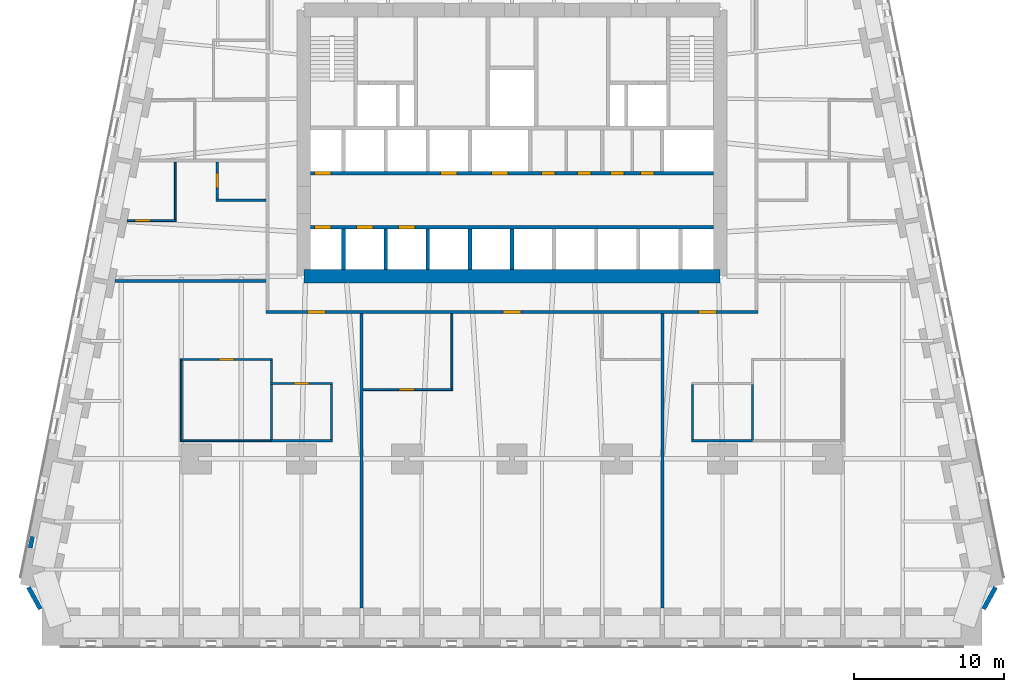
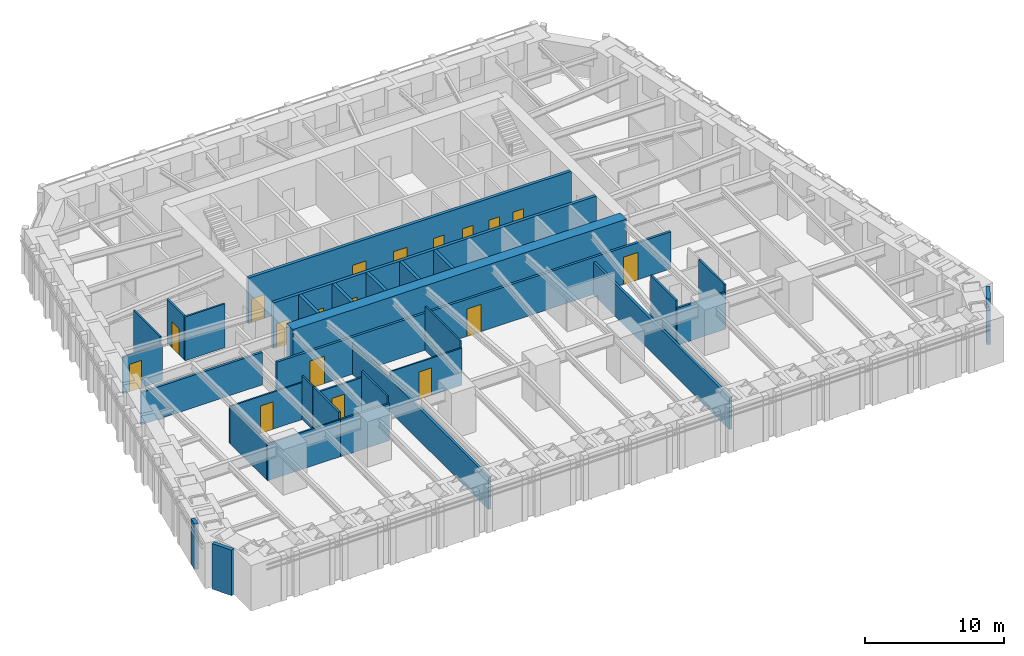
# One storey, part 12 of 16: 32 walls, 18 doors, 18 openings.
"""IFC4 building model written with IfcOpenShell, lengths in metres."""

from ifc_helpers import new_model, si_unit, direction, frame, frame_2d, origin, place, context, subcontext, project, spatial, rectangle, extrude, material, layer, layer_set, type_object, element, fill, save


model = new_model("IFC4")

# Units and contexts
model_context = context("Model", 3, precision=1e-05, world=origin(), true_north=direction((0.0, 1.0)))
body_context = subcontext(model_context, "Body", "Model", "MODEL_VIEW")
ifc_project = project(units=[si_unit("LENGTHUNIT", "METRE"), si_unit("AREAUNIT", "SQUARE_METRE"), si_unit("VOLUMEUNIT", "CUBIC_METRE"), si_unit("PLANEANGLEUNIT", "RADIAN"), si_unit("MASSUNIT", "GRAM", prefix="KILO")], contexts=[model_context])

# Site, building, storey
site_placement = place(None, origin())
site = spatial("IfcSite", under=ifc_project, at=site_placement, CompositionType="ELEMENT")
building_placement = place(site_placement, origin())
building = spatial("IfcBuilding", under=site, at=building_placement, Name="Isbrekke Arena Tower", CompositionType="ELEMENT")
storey_placement = place(building_placement, frame((0.0, 0.0, 36.0)))
storey = spatial("IfcBuildingStorey", under=building, at=storey_placement, Name="L06", CompositionType="ELEMENT", Elevation=36.0)

# Wall
ifc_material_1 = material(Name="Concrete B65 (C65/80)", Category="concrete")
ifc_layer_1 = layer(ifc_material_1, 0.89990234375)
ifc_layer_set_1 = layer_set([ifc_layer_1], Name="CW2 CORE WALL 900")
wall_type_1 = type_object("IfcWallType", Name="CW2 CORE WALL 900", PredefinedType="SHEAR", material=ifc_layer_set_1)
wall_1_placement = place(storey_placement, frame((-13.85009765625, 6.14990234375, 0.0), z_axis=(0.0, 0.0, 1.0), x_axis=(1.0, 0.0, 0.0)))
element("IfcWall", 1, at=wall_1_placement, inside=storey, type_object=wall_type_1, Name="Core wall S L06", PredefinedType="SHEAR", context=body_context, shape_type="SweptSolid", body=[
    extrude(rectangle(XDim=27.7001953125, YDim=0.89990234375, at=frame_2d((13.85009765625, 0.0))), origin(), (0.0, 0.0, 1.0), 4.0),
])

# Wall, openings, doors
ifc_material_2 = material(Name="Concrete B45 (C45/55)", Category="concrete")
ifc_layer_2 = layer(ifc_material_2, 0.25)
ifc_layer_set_2 = layer_set([ifc_layer_2], Name="CW6 SHAFT WALL 250")
wall_type_2 = type_object("IfcWallType", Name="CW6 SHAFT WALL 250", PredefinedType="SHEAR", material=ifc_layer_set_2)
wall_2_placement = place(storey_placement, frame((-13.39990234375, 9.39990234375, 0.0), z_axis=(0.0, 0.0, 1.0), x_axis=(1.0, 0.0, 0.0)))
wall_2 = element("IfcWall", 2, at=wall_2_placement, inside=storey, type_object=wall_type_2, Name="Core wall LS L06", PredefinedType="SHEAR", context=body_context, shape_type="SweptSolid", body=[
    extrude(rectangle(XDim=26.7998046875, YDim=0.25, at=frame_2d((13.39990234375, 0.0))), origin(), (0.0, 0.0, 1.0), 4.0),
])
opening_1_placement = place(wall_2_placement, frame((0.25, 0.0, 0.0)))
opening_1 = element("IfcOpeningElement", 3, at=opening_1_placement, cuts=wall_2, Name="Opening LD1", PredefinedType="OPENING", context=body_context, shape_type="SweptSolid", body=[
    extrude(rectangle(XDim=1.10009765625, YDim=2.10009765625, at=frame_2d((0.550048828125, 1.050048828125))), frame((0.0, 0.139892578125, 0.0), z_axis=(0.0, -1.0, 0.0), x_axis=(1.0, 0.0, 0.0)), (0.0, 0.0, 1.0), 0.27978515625),
])
opening_2_placement = place(wall_2_placement, frame((3.050048828125, 0.0, 0.0)))
opening_2 = element("IfcOpeningElement", 4, at=opening_2_placement, cuts=wall_2, Name="Opening LD1", PredefinedType="OPENING", context=body_context, shape_type="SweptSolid", body=[
    extrude(rectangle(XDim=1.10009765625, YDim=2.10009765625, at=frame_2d((0.550048828125, 1.050048828125))), frame((0.0, 0.139892578125, 0.0), z_axis=(0.0, -1.0, 0.0), x_axis=(1.0, 0.0, 0.0)), (0.0, 0.0, 1.0), 0.27978515625),
])
opening_3_placement = place(wall_2_placement, frame((5.85009765625, 0.0, 0.0)))
opening_3 = element("IfcOpeningElement", 5, at=opening_3_placement, cuts=wall_2, Name="Opening LD1", PredefinedType="OPENING", context=body_context, shape_type="SweptSolid", body=[
    extrude(rectangle(XDim=1.10009765625, YDim=2.10009765625, at=frame_2d((0.550048828125, 1.050048828125))), frame((0.0, 0.139892578125, 0.0), z_axis=(0.0, -1.0, 0.0), x_axis=(1.0, 0.0, 0.0)), (0.0, 0.0, 1.0), 0.27978515625),
])
ifc_material_3 = material(Name="Stainless steel lift landing door", Category="steel")
door_type_1 = type_object("IfcDoorType", Name="LD1 LIFT LANDING DOOR 1100 x 2100", OperationType="SLIDING_TO_LEFT", PredefinedType="DOOR", material=ifc_material_3)
door_1_placement = place(opening_1_placement, origin())
door_1 = element("IfcDoor", 6, at=door_1_placement, inside=storey, type_object=door_type_1, Name="LD1 lift landing door LA L06", OperationType="SLIDING_TO_LEFT", OverallHeight=2.10009765625, OverallWidth=1.10009765625, PredefinedType="DOOR", context=body_context, shape_type="SweptSolid", body=[
    extrude(rectangle(XDim=1.10009765625, YDim=2.10009765625, at=frame_2d((0.550048828125, 1.050048828125))), frame((0.0, 0.124755859375, 0.0), z_axis=(0.0, -1.0, 0.0), x_axis=(1.0, 0.0, 0.0)), (0.0, 0.0, 1.0), 0.24951171875),
])
fill(opening_1, door_1)
door_2_placement = place(opening_2_placement, origin())
door_2 = element("IfcDoor", 7, at=door_2_placement, inside=storey, type_object=door_type_1, Name="LD1 lift landing door LA L06", OperationType="SLIDING_TO_LEFT", OverallHeight=2.10009765625, OverallWidth=1.10009765625, PredefinedType="DOOR", context=body_context, shape_type="SweptSolid", body=[
    extrude(rectangle(XDim=1.10009765625, YDim=2.10009765625, at=frame_2d((0.550048828125, 1.050048828125))), frame((0.0, 0.124755859375, 0.0), z_axis=(0.0, -1.0, 0.0), x_axis=(1.0, 0.0, 0.0)), (0.0, 0.0, 1.0), 0.24951171875),
])
fill(opening_2, door_2)
door_3_placement = place(opening_3_placement, origin())
door_3 = element("IfcDoor", 8, at=door_3_placement, inside=storey, type_object=door_type_1, Name="LD1 lift landing door LA L06", OperationType="SLIDING_TO_LEFT", OverallHeight=2.10009765625, OverallWidth=1.10009765625, PredefinedType="DOOR", context=body_context, shape_type="SweptSolid", body=[
    extrude(rectangle(XDim=1.10009765625, YDim=2.10009765625, at=frame_2d((0.550048828125, 1.050048828125))), frame((0.0, 0.124755859375, 0.0), z_axis=(0.0, -1.0, 0.0), x_axis=(1.0, 0.0, 0.0)), (0.0, 0.0, 1.0), 0.24951171875),
])
fill(opening_3, door_3)

wall_3_placement = place(storey_placement, frame((-13.39990234375, 13.0, 0.0), z_axis=(0.0, 0.0, 1.0), x_axis=(1.0, 0.0, 0.0)))
wall_3 = element("IfcWall", 9, at=wall_3_placement, inside=storey, type_object=wall_type_2, Name="Core wall LN L06", PredefinedType="SHEAR", context=body_context, shape_type="SweptSolid", body=[
    extrude(rectangle(XDim=26.7998046875, YDim=0.25, at=frame_2d((13.39990234375, 0.0))), origin(), (0.0, 0.0, 1.0), 4.0),
])
opening_4_placement = place(wall_3_placement, frame((0.25, 0.0, 0.0)))
opening_4 = element("IfcOpeningElement", 10, at=opening_4_placement, cuts=wall_3, Name="Opening LD1", PredefinedType="OPENING", context=body_context, shape_type="SweptSolid", body=[
    extrude(rectangle(XDim=1.10009765625, YDim=2.10009765625, at=frame_2d((0.550048828125, 1.050048828125))), frame((0.0, 0.139892578125, 0.0), z_axis=(0.0, -1.0, 0.0), x_axis=(1.0, 0.0, 0.0)), (0.0, 0.0, 1.0), 0.27978515625),
])
opening_5_placement = place(wall_3_placement, frame((8.64990234375, 0.0, 0.0)))
opening_5 = element("IfcOpeningElement", 11, at=opening_5_placement, cuts=wall_3, Name="Opening LD1", PredefinedType="OPENING", context=body_context, shape_type="SweptSolid", body=[
    extrude(rectangle(XDim=1.10009765625, YDim=2.10009765625, at=frame_2d((0.550048828125, 1.050048828125))), frame((0.0, 0.139892578125, 0.0), z_axis=(0.0, -1.0, 0.0), x_axis=(1.0, 0.0, 0.0)), (0.0, 0.0, 1.0), 0.27978515625),
])
opening_6_placement = place(wall_3_placement, frame((12.050048828125, 0.0, 0.0)))
opening_6 = element("IfcOpeningElement", 12, at=opening_6_placement, cuts=wall_3, Name="Opening LD1", PredefinedType="OPENING", context=body_context, shape_type="SweptSolid", body=[
    extrude(rectangle(XDim=1.10009765625, YDim=2.10009765625, at=frame_2d((0.550048828125, 1.050048828125))), frame((0.0, 0.139892578125, 0.0), z_axis=(0.0, -1.0, 0.0), x_axis=(1.0, 0.0, 0.0)), (0.0, 0.0, 1.0), 0.27978515625),
])
opening_7_placement = place(wall_3_placement, frame((15.35009765625, 0.0, 0.0)))
opening_7 = element("IfcOpeningElement", 13, at=opening_7_placement, cuts=wall_3, Name="Opening D5", PredefinedType="OPENING", context=body_context, shape_type="SweptSolid", body=[
    extrude(rectangle(XDim=0.89990234375, YDim=2.10009765625, at=frame_2d((0.449951171875, 1.050048828125))), frame((0.0, 0.139892578125, 0.0), z_axis=(0.0, -1.0, 0.0), x_axis=(1.0, 0.0, 0.0)), (0.0, 0.0, 1.0), 0.27978515625),
])
opening_8_placement = place(wall_3_placement, frame((17.75, 0.0, 0.0)))
opening_8 = element("IfcOpeningElement", 14, at=opening_8_placement, cuts=wall_3, Name="Opening D5", PredefinedType="OPENING", context=body_context, shape_type="SweptSolid", body=[
    extrude(rectangle(XDim=0.89990234375, YDim=2.10009765625, at=frame_2d((0.449951171875, 1.050048828125))), frame((0.0, 0.139892578125, 0.0), z_axis=(0.0, -1.0, 0.0), x_axis=(1.0, 0.0, 0.0)), (0.0, 0.0, 1.0), 0.27978515625),
])
opening_9_placement = place(wall_3_placement, frame((19.949951171875, 0.0, 0.0)))
opening_9 = element("IfcOpeningElement", 15, at=opening_9_placement, cuts=wall_3, Name="Opening D5", PredefinedType="OPENING", context=body_context, shape_type="SweptSolid", body=[
    extrude(rectangle(XDim=0.89990234375, YDim=2.10009765625, at=frame_2d((0.449951171875, 1.050048828125))), frame((0.0, 0.139892578125, 0.0), z_axis=(0.0, -1.0, 0.0), x_axis=(1.0, 0.0, 0.0)), (0.0, 0.0, 1.0), 0.27978515625),
])
opening_10_placement = place(wall_3_placement, frame((21.949951171875, 0.0, 0.0)))
opening_10 = element("IfcOpeningElement", 16, at=opening_10_placement, cuts=wall_3, Name="Opening D5", PredefinedType="OPENING", context=body_context, shape_type="SweptSolid", body=[
    extrude(rectangle(XDim=0.89990234375, YDim=2.10009765625, at=frame_2d((0.449951171875, 1.050048828125))), frame((0.0, 0.139892578125, 0.0), z_axis=(0.0, -1.0, 0.0), x_axis=(1.0, 0.0, 0.0)), (0.0, 0.0, 1.0), 0.27978515625),
])
ifc_material_4 = material(Name="Steel fire door", Category="steel")
door_type_2 = type_object("IfcDoorType", Name="D5 SERVICE DOOR 900 x 2100", OperationType="SINGLE_SWING_LEFT", PredefinedType="DOOR", material=ifc_material_4)
door_4_placement = place(opening_7_placement, origin())
door_4 = element("IfcDoor", 17, at=door_4_placement, inside=storey, type_object=door_type_2, Name="D5 mothers' room door L06", OperationType="SINGLE_SWING_LEFT", OverallHeight=2.10009765625, OverallWidth=0.89990234375, PredefinedType="DOOR", context=body_context, shape_type="SweptSolid", body=[
    extrude(rectangle(XDim=0.89990234375, YDim=2.10009765625, at=frame_2d((0.449951171875, 1.050048828125))), frame((0.0, 0.124755859375, 0.0), z_axis=(0.0, -1.0, 0.0), x_axis=(1.0, 0.0, 0.0)), (0.0, 0.0, 1.0), 0.24951171875),
])
fill(opening_7, door_4)
door_5_placement = place(opening_8_placement, origin())
door_5 = element("IfcDoor", 18, at=door_5_placement, inside=storey, type_object=door_type_2, Name="D5 cleaner's store door L06", OperationType="SINGLE_SWING_LEFT", OverallHeight=2.10009765625, OverallWidth=0.89990234375, PredefinedType="DOOR", context=body_context, shape_type="SweptSolid", body=[
    extrude(rectangle(XDim=0.89990234375, YDim=2.10009765625, at=frame_2d((0.449951171875, 1.050048828125))), frame((0.0, 0.124755859375, 0.0), z_axis=(0.0, -1.0, 0.0), x_axis=(1.0, 0.0, 0.0)), (0.0, 0.0, 1.0), 0.24951171875),
])
fill(opening_8, door_5)
door_6_placement = place(opening_9_placement, origin())
door_6 = element("IfcDoor", 19, at=door_6_placement, inside=storey, type_object=door_type_2, Name="D5 communications room door L06", OperationType="SINGLE_SWING_LEFT", OverallHeight=2.10009765625, OverallWidth=0.89990234375, PredefinedType="DOOR", context=body_context, shape_type="SweptSolid", body=[
    extrude(rectangle(XDim=0.89990234375, YDim=2.10009765625, at=frame_2d((0.449951171875, 1.050048828125))), frame((0.0, 0.124755859375, 0.0), z_axis=(0.0, -1.0, 0.0), x_axis=(1.0, 0.0, 0.0)), (0.0, 0.0, 1.0), 0.24951171875),
])
fill(opening_9, door_6)
door_7_placement = place(opening_10_placement, origin())
door_7 = element("IfcDoor", 20, at=door_7_placement, inside=storey, type_object=door_type_2, Name="D5 tenant store door L06", OperationType="SINGLE_SWING_LEFT", OverallHeight=2.10009765625, OverallWidth=0.89990234375, PredefinedType="DOOR", context=body_context, shape_type="SweptSolid", body=[
    extrude(rectangle(XDim=0.89990234375, YDim=2.10009765625, at=frame_2d((0.449951171875, 1.050048828125))), frame((0.0, 0.124755859375, 0.0), z_axis=(0.0, -1.0, 0.0), x_axis=(1.0, 0.0, 0.0)), (0.0, 0.0, 1.0), 0.24951171875),
])
fill(opening_10, door_7)
door_8_placement = place(opening_4_placement, origin())
door_8 = element("IfcDoor", 21, at=door_8_placement, inside=storey, type_object=door_type_1, Name="LD1 lift landing door LA L06", OperationType="SLIDING_TO_LEFT", OverallHeight=2.10009765625, OverallWidth=1.10009765625, PredefinedType="DOOR", context=body_context, shape_type="SweptSolid", body=[
    extrude(rectangle(XDim=1.10009765625, YDim=2.10009765625, at=frame_2d((0.550048828125, 1.050048828125))), frame((0.0, 0.124755859375, 0.0), z_axis=(0.0, -1.0, 0.0), x_axis=(1.0, 0.0, 0.0)), (0.0, 0.0, 1.0), 0.24951171875),
])
fill(opening_4, door_8)
door_9_placement = place(opening_5_placement, origin())
door_9 = element("IfcDoor", 22, at=door_9_placement, inside=storey, type_object=door_type_1, Name="LD1 lift landing door LA L06", OperationType="SLIDING_TO_LEFT", OverallHeight=2.10009765625, OverallWidth=1.10009765625, PredefinedType="DOOR", context=body_context, shape_type="SweptSolid", body=[
    extrude(rectangle(XDim=1.10009765625, YDim=2.10009765625, at=frame_2d((0.550048828125, 1.050048828125))), frame((0.0, 0.124755859375, 0.0), z_axis=(0.0, -1.0, 0.0), x_axis=(1.0, 0.0, 0.0)), (0.0, 0.0, 1.0), 0.24951171875),
])
fill(opening_5, door_9)
door_10_placement = place(opening_6_placement, origin())
door_10 = element("IfcDoor", 23, at=door_10_placement, inside=storey, type_object=door_type_1, Name="LD1 lift landing door LA L06", OperationType="SLIDING_TO_LEFT", OverallHeight=2.10009765625, OverallWidth=1.10009765625, PredefinedType="DOOR", context=body_context, shape_type="SweptSolid", body=[
    extrude(rectangle(XDim=1.10009765625, YDim=2.10009765625, at=frame_2d((0.550048828125, 1.050048828125))), frame((0.0, 0.124755859375, 0.0), z_axis=(0.0, -1.0, 0.0), x_axis=(1.0, 0.0, 0.0)), (0.0, 0.0, 1.0), 0.24951171875),
])
fill(opening_6, door_10)

# Walls
for number, where, z_axis, x_axis, name in (
    (24, (-11.199951171875, 6.60009765625, 0.0), (0.0, 0.0, 1.0), (0.0, 1.0, 0.0), "Core wall SS01 L06"),
    (25, (-8.39990234375, 6.60009765625, 0.0), (0.0, 0.0, 1.0), (0.0, 1.0, 0.0), "Core wall SS02 L06"),
    (26, (-5.60009765625, 6.60009765625, 0.0), (0.0, 0.0, 1.0), (0.0, 1.0, 0.0), "Core wall SS03 L06"),
    (27, (-2.800048828125, 6.60009765625, 0.0), (0.0, 0.0, 1.0), (0.0, 1.0, 0.0), "Core wall SS04 L06"),
    (28, (0.0, 6.60009765625, 0.0), (0.0, 0.0, 1.0), (0.0, 1.0, 0.0), "Core wall SS05 L06"),
):
    element("IfcWall", number, at=place(storey_placement, frame(where, z_axis=z_axis, x_axis=x_axis)), inside=storey, type_object=wall_type_2, Name=name, PredefinedType="SHEAR", context=body_context, shape_type="SweptSolid", body=[
        extrude(rectangle(XDim=2.6748046875, YDim=0.25, at=frame_2d((1.33740234375, 0.0))), origin(), (0.0, 0.0, 1.0), 4.0),
    ])
ifc_material_5 = material(Name="Insulated aluminium panel on steel framing", Category="steel")
ifc_layer_3 = layer(ifc_material_5, 0.300048828125)
ifc_layer_set_3 = layer_set([ifc_layer_3], Name="EW4 INSULATED PANEL WALL 300")
wall_type_3 = type_object("IfcWallType", Name="EW4 INSULATED PANEL WALL 300", PredefinedType="SOLIDWALL", material=ifc_layer_set_3)
wall_4_placement = place(storey_placement, frame((31.36328125, -15.98828125, 0.0), z_axis=(0.0, 0.0, 1.0), x_axis=(0.481879089964, 0.876237720402, 0.0)))
element("IfcWall", 29, at=wall_4_placement, inside=storey, type_object=wall_type_3, Name="EW4 corner closure panel L06-SE", PredefinedType="SOLIDWALL", context=body_context, shape_type="SweptSolid", body=[
    extrude(rectangle(XDim=1.654296875, YDim=0.300048828125, at=frame_2d((0.8271484375, 0.0))), origin(), (0.0, 0.0, 1.0), 4.0),
])
wall_5_placement = place(storey_placement, frame((-31.890380859375, -11.1767578125, 0.0), z_axis=(0.0, 0.0, 1.0), x_axis=(-0.195867092459, -0.980630451338, 0.0)))
element("IfcWall", 30, at=wall_5_placement, inside=storey, type_object=wall_type_3, Name="EW4 closure panel L06-W 1", PredefinedType="SOLIDWALL", context=body_context, shape_type="SweptSolid", body=[
    extrude(rectangle(XDim=0.754150390625, YDim=0.300048828125, at=frame_2d((0.376953125, 0.0))), origin(), (0.0, 0.0, 1.0), 4.0),
])
wall_6_placement = place(storey_placement, frame((-32.160400390625, -14.538818359375, 0.0), z_axis=(0.0, 0.0, 1.0), x_axis=(0.481879089964, -0.876237720402, 0.0)))
element("IfcWall", 31, at=wall_6_placement, inside=storey, type_object=wall_type_3, Name="EW4 corner closure panel L06-WS", PredefinedType="SOLIDWALL", context=body_context, shape_type="SweptSolid", body=[
    extrude(rectangle(XDim=1.654296875, YDim=0.300048828125, at=frame_2d((0.8271484375, 0.0))), origin(), (0.0, 0.0, 1.0), 4.0),
])
ifc_material_6 = material(Name="Gypsum board partition on steel studs", Category="steel")
ifc_layer_4 = layer(ifc_material_6, 0.14990234375)
ifc_layer_set_4 = layer_set([ifc_layer_4], Name="IW1 PARTITION 150")
wall_type_4 = type_object("IfcWallType", Name="IW1 PARTITION 150", PredefinedType="PARTITIONING", material=ifc_layer_set_4)
for number, where, z_axis, x_axis, name in (
    (32, (-16.0, -4.800048828125, 0.0), (0.0, 0.0, 1.0), (1.0, 0.0, 0.0), "IW1 partition 150 L06"),
    (33, (11.925048828125, -4.800048828125, 0.0), (0.0, 0.0, 1.0), (1.0, 0.0, 0.0), "IW1 partition 150 L06"),
):
    element("IfcWall", number, at=place(storey_placement, frame(where, z_axis=z_axis, x_axis=x_axis)), inside=storey, type_object=wall_type_4, Name=name, PredefinedType="PARTITIONING", context=body_context, shape_type="SweptSolid", body=[
        extrude(rectangle(XDim=4.074951171875, YDim=0.14990234375, at=frame_2d((2.03759765625, 0.0))), origin(), (0.0, 0.0, 1.0), 3.25),
    ])

# Wall, opening, door
wall_7_placement = place(storey_placement, frame((-16.06005859375, -1.0, 0.0), z_axis=(0.0, 0.0, 1.0), x_axis=(1.0, 0.0, 0.0)))
wall_7 = element("IfcWall", 34, at=wall_7_placement, inside=storey, type_object=wall_type_4, Name="IW1 partition 150 L06", PredefinedType="PARTITIONING", context=body_context, shape_type="SweptSolid", body=[
    extrude(rectangle(XDim=4.135009765625, YDim=0.14990234375, at=frame_2d((2.0673828125, 0.0))), origin(), (0.0, 0.0, 1.0), 3.25),
])
opening_11_placement = place(wall_7_placement, frame((1.56005859375, 0.0, 0.0)))
opening_11 = element("IfcOpeningElement", 35, at=opening_11_placement, cuts=wall_7, Name="Opening D10", PredefinedType="OPENING", context=body_context, shape_type="SweptSolid", body=[
    extrude(rectangle(XDim=1.0, YDim=2.300048828125, at=frame_2d((0.5, 1.14990234375))), frame((0.0, 0.08984375, 0.0), z_axis=(0.0, -1.0, 0.0), x_axis=(1.0, 0.0, 0.0)), (0.0, 0.0, 1.0), 0.1796875),
])
ifc_material_7 = material(Name="Timber door", Category="wood")
door_type_3 = type_object("IfcDoorType", Name="D10 OFFICE DOOR 1000 x 2300", OperationType="SINGLE_SWING_LEFT", PredefinedType="DOOR", material=ifc_material_7)
door_11_placement = place(opening_11_placement, origin())
door_11 = element("IfcDoor", 36, at=door_11_placement, inside=storey, type_object=door_type_3, Name="D10 tea point door L06", OperationType="SINGLE_SWING_LEFT", OverallHeight=2.300048828125, OverallWidth=1.0, PredefinedType="DOOR", context=body_context, shape_type="SweptSolid", body=[
    extrude(rectangle(XDim=1.0, YDim=2.300048828125, at=frame_2d((0.5, 1.14990234375))), frame((0.0, 0.07470703125, 0.0), z_axis=(0.0, -1.0, 0.0), x_axis=(1.0, 0.0, 0.0)), (0.0, 0.0, 1.0), 0.1494140625),
])
fill(opening_11, door_11)

# Wall
wall_8_placement = place(storey_placement, frame((-19.675048828125, 11.199951171875, 0.0), z_axis=(0.0, 0.0, 1.0), x_axis=(1.0, 0.0, 0.0)))
element("IfcWall", 37, at=wall_8_placement, inside=storey, type_object=wall_type_4, Name="IW1 partition 150 L06", PredefinedType="PARTITIONING", context=body_context, shape_type="SweptSolid", body=[
    extrude(rectangle(XDim=3.324951171875, YDim=0.14990234375, at=frame_2d((1.66259765625, 0.0))), origin(), (0.0, 0.0, 1.0), 3.85009765625),
])

# Wall, opening, door
wall_9_placement = place(storey_placement, frame((-19.60009765625, 11.27490234375, 0.0), z_axis=(0.0, 0.0, 1.0), x_axis=(0.0, 1.0, 0.0)))
wall_9 = element("IfcWall", 38, at=wall_9_placement, inside=storey, type_object=wall_type_4, Name="IW1 partition 150 L06", PredefinedType="PARTITIONING", context=body_context, shape_type="SweptSolid", body=[
    extrude(rectangle(XDim=2.465087890625, YDim=0.14990234375, at=frame_2d((1.232421875, 0.0))), origin(), (0.0, 0.0, 1.0), 3.85009765625),
])
opening_12_placement = place(wall_9_placement, frame((0.7451171875, 0.0, 0.0)))
opening_12 = element("IfcOpeningElement", 39, at=opening_12_placement, cuts=wall_9, Name="Opening D10", PredefinedType="OPENING", context=body_context, shape_type="SweptSolid", body=[
    extrude(rectangle(XDim=1.0, YDim=2.300048828125, at=frame_2d((0.5, 1.14990234375))), frame((0.0, 0.08984375, 0.0), z_axis=(0.0, -1.0, 0.0), x_axis=(1.0, 0.0, 0.0)), (0.0, 0.0, 1.0), 0.1796875),
])
door_12_placement = place(opening_12_placement, origin())
door_12 = element("IfcDoor", 40, at=door_12_placement, inside=storey, type_object=door_type_3, Name="D10 tea point door L06", OperationType="SINGLE_SWING_LEFT", OverallHeight=2.300048828125, OverallWidth=1.0, PredefinedType="DOOR", context=body_context, shape_type="SweptSolid", body=[
    extrude(rectangle(XDim=1.0, YDim=2.300048828125, at=frame_2d((0.5, 1.14990234375))), frame((0.0, 0.07470703125, 0.0), z_axis=(0.0, -1.0, 0.0), x_axis=(1.0, 0.0, 0.0)), (0.0, 0.0, 1.0), 0.1494140625),
])
fill(opening_12, door_12)

# Walls
for number, where, z_axis, x_axis, name in (
    (41, (-16.0, -4.72509765625, 0.0), (0.0, 0.0, 1.0), (0.0, 1.0, 0.0), "IW1 partition 150 L06"),
    (42, (-12.0, -4.72509765625, 0.0), (0.0, 0.0, 1.0), (0.0, 1.0, 0.0), "IW1 partition 150 L06"),
    (43, (12.0, -4.72509765625, 0.0), (0.0, 0.0, 1.0), (0.0, 1.0, 0.0), "IW1 partition 150 L06"),
    (44, (16.0, -4.72509765625, 0.0), (0.0, 0.0, 1.0), (0.0, 1.0, 0.0), "IW1 partition 150 L06"),
):
    element("IfcWall", number, at=place(storey_placement, frame(where, z_axis=z_axis, x_axis=x_axis)), inside=storey, type_object=wall_type_4, Name=name, PredefinedType="PARTITIONING", context=body_context, shape_type="SweptSolid", body=[
        extrude(rectangle(XDim=3.650146484375, YDim=0.14990234375, at=frame_2d((1.8251953125, 0.0))), origin(), (0.0, 0.0, 1.0), 3.85009765625),
    ])
ifc_material_8 = material(Name="Frameless glazed partition, laminated acoustic glass", Category="glass")
ifc_layer_5 = layer(ifc_material_8, 0.1201171875)
ifc_layer_set_5 = layer_set([ifc_layer_5], Name="IW2 GLAZED PARTITION 120")
wall_type_5 = type_object("IfcWallType", Name="IW2 GLAZED PARTITION 120", PredefinedType="PARTITIONING", material=ifc_layer_set_5)
wall_10_placement = place(storey_placement, frame((-22.06005859375, -4.800048828125, 0.0), z_axis=(0.0, 0.0, 1.0), x_axis=(1.0, 0.0, 0.0)))
element("IfcWall", 45, at=wall_10_placement, inside=storey, type_object=wall_type_5, Name="IW2 glazed partition 120 L06", PredefinedType="PARTITIONING", context=body_context, shape_type="SweptSolid", body=[
    extrude(rectangle(XDim=6.06005859375, YDim=0.1201171875, at=frame_2d((3.030029296875, 0.0))), origin(), (0.0, 0.0, 1.0), 3.25),
])

# Wall, opening, door
wall_11_placement = place(storey_placement, frame((-9.89990234375, -1.39990234375, 0.0), z_axis=(0.0, 0.0, 1.0), x_axis=(1.0, 0.0, 0.0)))
wall_11 = element("IfcWall", 46, at=wall_11_placement, inside=storey, type_object=wall_type_5, Name="IW2 glazed partition 120 L06", PredefinedType="PARTITIONING", context=body_context, shape_type="SweptSolid", body=[
    extrude(rectangle(XDim=5.9599609375, YDim=0.1201171875, at=frame_2d((2.97998046875, 0.0))), origin(), (0.0, 0.0, 1.0), 3.25),
])
opening_13_placement = place(wall_11_placement, frame((2.39990234375, 0.0, 0.0)))
opening_13 = element("IfcOpeningElement", 47, at=opening_13_placement, cuts=wall_11, Name="Opening D11", PredefinedType="OPENING", context=body_context, shape_type="SweptSolid", body=[
    extrude(rectangle(XDim=1.0, YDim=2.39990234375, at=frame_2d((0.5, 1.199951171875))), frame((0.0, 0.074951171875, 0.0), z_axis=(0.0, -1.0, 0.0), x_axis=(1.0, 0.0, 0.0)), (0.0, 0.0, 1.0), 0.14990234375),
])
ifc_material_9 = material(Name="Frameless glazed door", Category="glass")
door_type_4 = type_object("IfcDoorType", Name="D11 GLAZED MEETING ROOM DOOR 1000 x 2400", OperationType="SINGLE_SWING_RIGHT", PredefinedType="DOOR", material=ifc_material_9)
door_13_placement = place(opening_13_placement, origin())
door_13 = element("IfcDoor", 48, at=door_13_placement, inside=storey, type_object=door_type_4, Name="D11 meeting room door L06", OperationType="SINGLE_SWING_RIGHT", OverallHeight=2.39990234375, OverallWidth=1.0, PredefinedType="DOOR", context=body_context, shape_type="SweptSolid", body=[
    extrude(rectangle(XDim=1.0, YDim=2.39990234375, at=frame_2d((0.5, 1.199951171875))), frame((0.0, 0.059814453125, 0.0), z_axis=(0.0, -1.0, 0.0), x_axis=(1.0, 0.0, 0.0)), (0.0, 0.0, 1.0), 0.11962890625),
])
fill(opening_13, door_13)

wall_12_placement = place(storey_placement, frame((-22.06005859375, 0.60009765625, 0.0), z_axis=(0.0, 0.0, 1.0), x_axis=(1.0, 0.0, 0.0)))
wall_12 = element("IfcWall", 49, at=wall_12_placement, inside=storey, type_object=wall_type_5, Name="IW2 glazed partition 120 L06", PredefinedType="PARTITIONING", context=body_context, shape_type="SweptSolid", body=[
    extrude(rectangle(XDim=6.1201171875, YDim=0.1201171875, at=frame_2d((3.06005859375, 0.0))), origin(), (0.0, 0.0, 1.0), 3.25),
])
opening_14_placement = place(wall_12_placement, frame((2.56005859375, 0.0, 0.0)))
opening_14 = element("IfcOpeningElement", 50, at=opening_14_placement, cuts=wall_12, Name="Opening D11", PredefinedType="OPENING", context=body_context, shape_type="SweptSolid", body=[
    extrude(rectangle(XDim=1.0, YDim=2.39990234375, at=frame_2d((0.5, 1.199951171875))), frame((0.0, 0.074951171875, 0.0), z_axis=(0.0, -1.0, 0.0), x_axis=(1.0, 0.0, 0.0)), (0.0, 0.0, 1.0), 0.14990234375),
])
door_14_placement = place(opening_14_placement, origin())
door_14 = element("IfcDoor", 51, at=door_14_placement, inside=storey, type_object=door_type_4, Name="D11 meeting room door L06", OperationType="SINGLE_SWING_RIGHT", OverallHeight=2.39990234375, OverallWidth=1.0, PredefinedType="DOOR", context=body_context, shape_type="SweptSolid", body=[
    extrude(rectangle(XDim=1.0, YDim=2.39990234375, at=frame_2d((0.5, 1.199951171875))), frame((0.0, 0.059814453125, 0.0), z_axis=(0.0, -1.0, 0.0), x_axis=(1.0, 0.0, 0.0)), (0.0, 0.0, 1.0), 0.11962890625),
])
fill(opening_14, door_14)

wall_13_placement = place(storey_placement, frame((-25.596435546875, 9.840087890625, 0.0), z_axis=(0.0, 0.0, 1.0), x_axis=(1.0, 0.0, 0.0)))
wall_13 = element("IfcWall", 52, at=wall_13_placement, inside=storey, type_object=wall_type_5, Name="IW2 glazed partition 120 L06", PredefinedType="PARTITIONING", context=body_context, shape_type="SweptSolid", body=[
    extrude(rectangle(XDim=3.25634765625, YDim=0.1201171875, at=frame_2d((1.628173828125, 0.0))), origin(), (0.0, 0.0, 1.0), 3.25),
])
opening_15_placement = place(wall_13_placement, frame((0.537353515625, 0.0, 0.0)))
opening_15 = element("IfcOpeningElement", 53, at=opening_15_placement, cuts=wall_13, Name="Opening D11", PredefinedType="OPENING", context=body_context, shape_type="SweptSolid", body=[
    extrude(rectangle(XDim=1.0, YDim=2.39990234375, at=frame_2d((0.5, 1.199951171875))), frame((0.0, 0.074951171875, 0.0), z_axis=(0.0, -1.0, 0.0), x_axis=(1.0, 0.0, 0.0)), (0.0, 0.0, 1.0), 0.14990234375),
])
door_15_placement = place(opening_15_placement, origin())
door_15 = element("IfcDoor", 54, at=door_15_placement, inside=storey, type_object=door_type_4, Name="D11 meeting room door L06", OperationType="SINGLE_SWING_RIGHT", OverallHeight=2.39990234375, OverallWidth=1.0, PredefinedType="DOOR", context=body_context, shape_type="SweptSolid", body=[
    extrude(rectangle(XDim=1.0, YDim=2.39990234375, at=frame_2d((0.5, 1.199951171875))), frame((0.0, 0.059814453125, 0.0), z_axis=(0.0, -1.0, 0.0), x_axis=(1.0, 0.0, 0.0)), (0.0, 0.0, 1.0), 0.11962890625),
])
fill(opening_15, door_15)

# Walls
wall_14_placement = place(storey_placement, frame((-22.39990234375, 9.89990234375, 0.0), z_axis=(0.0, 0.0, 1.0), x_axis=(0.0, 1.0, 0.0)))
element("IfcWall", 55, at=wall_14_placement, inside=storey, type_object=wall_type_5, Name="IW2 glazed partition 120 L06", PredefinedType="PARTITIONING", context=body_context, shape_type="SweptSolid", body=[
    extrude(rectangle(XDim=3.840087890625, YDim=0.1201171875, at=frame_2d((1.919921875, 0.0))), origin(), (0.0, 0.0, 1.0), 3.85009765625),
])
wall_15_placement = place(storey_placement, frame((-22.0, -4.739990234375, 0.0), z_axis=(0.0, 0.0, 1.0), x_axis=(0.0, 1.0, 0.0)))
element("IfcWall", 56, at=wall_15_placement, inside=storey, type_object=wall_type_5, Name="IW2 glazed partition 120 L06", PredefinedType="PARTITIONING", context=body_context, shape_type="SweptSolid", body=[
    extrude(rectangle(XDim=5.280029296875, YDim=0.1201171875, at=frame_2d((2.64013671875, 0.0))), origin(), (0.0, 0.0, 1.0), 3.25),
])
wall_16_placement = place(storey_placement, frame((-16.0, -0.925048828125, 0.0), z_axis=(0.0, 0.0, 1.0), x_axis=(0.0, 1.0, 0.0)))
element("IfcWall", 57, at=wall_16_placement, inside=storey, type_object=wall_type_5, Name="IW2 glazed partition 120 L06", PredefinedType="PARTITIONING", context=body_context, shape_type="SweptSolid", body=[
    extrude(rectangle(XDim=1.465087890625, YDim=0.1201171875, at=frame_2d((0.732421875, 0.0))), origin(), (0.0, 0.0, 1.0), 3.85009765625),
])
wall_17_placement = place(storey_placement, frame((-4.0, -1.340087890625, 0.0), z_axis=(0.0, 0.0, 1.0), x_axis=(0.0, 1.0, 0.0)))
element("IfcWall", 58, at=wall_17_placement, inside=storey, type_object=wall_type_5, Name="IW2 glazed partition 120 L06", PredefinedType="PARTITIONING", context=body_context, shape_type="SweptSolid", body=[
    extrude(rectangle(XDim=4.989990234375, YDim=0.1201171875, at=frame_2d((2.4951171875, 0.0))), origin(), (0.0, 0.0, 1.0), 3.85009765625),
])

# Wall, openings, doors
ifc_material_10 = material(Name="Gypsum board fire-cell wall on steel studs, two layers each side", Category="steel")
ifc_layer_6 = layer(ifc_material_10, 0.199951171875)
ifc_layer_set_6 = layer_set([ifc_layer_6], Name="IW3 FIRE-CELL WALL 200")
wall_type_6 = type_object("IfcWallType", Name="IW3 FIRE-CELL WALL 200", PredefinedType="PARTITIONING", material=ifc_layer_set_6)
wall_18_placement = place(storey_placement, frame((-16.35009765625, 3.75, 0.0), z_axis=(0.0, 0.0, 1.0), x_axis=(1.0, 0.0, 0.0)))
wall_18 = element("IfcWall", 59, at=wall_18_placement, inside=storey, type_object=wall_type_6, Name="IW3 fire-cell wall 200 L06", PredefinedType="PARTITIONING", context=body_context, shape_type="SweptSolid", body=[
    extrude(rectangle(XDim=32.7001953125, YDim=0.199951171875, at=frame_2d((16.35009765625, 0.0))), origin(), (0.0, 0.0, 1.0), 3.25),
])
opening_16_placement = place(wall_18_placement, frame((15.75, 0.0, 0.0)))
opening_16 = element("IfcOpeningElement", 60, at=opening_16_placement, cuts=wall_18, Name="Opening D12", PredefinedType="OPENING", context=body_context, shape_type="SweptSolid", body=[
    extrude(rectangle(XDim=1.199951171875, YDim=2.39990234375, at=frame_2d((0.60009765625, 1.199951171875))), frame((0.0, 0.11474609375, 0.0), z_axis=(0.0, -1.0, 0.0), x_axis=(1.0, 0.0, 0.0)), (0.0, 0.0, 1.0), 0.229736328125),
])
opening_17_placement = place(wall_18_placement, frame((2.75, 0.0, 0.0)))
opening_17 = element("IfcOpeningElement", 61, at=opening_17_placement, cuts=wall_18, Name="Opening D12", PredefinedType="OPENING", context=body_context, shape_type="SweptSolid", body=[
    extrude(rectangle(XDim=1.199951171875, YDim=2.39990234375, at=frame_2d((0.60009765625, 1.199951171875))), frame((0.0, 0.11474609375, 0.0), z_axis=(0.0, -1.0, 0.0), x_axis=(1.0, 0.0, 0.0)), (0.0, 0.0, 1.0), 0.229736328125),
])
opening_18_placement = place(wall_18_placement, frame((28.75, 0.0, 0.0)))
opening_18 = element("IfcOpeningElement", 62, at=opening_18_placement, cuts=wall_18, Name="Opening D12", PredefinedType="OPENING", context=body_context, shape_type="SweptSolid", body=[
    extrude(rectangle(XDim=1.199951171875, YDim=2.39990234375, at=frame_2d((0.60009765625, 1.199951171875))), frame((0.0, 0.11474609375, 0.0), z_axis=(0.0, -1.0, 0.0), x_axis=(1.0, 0.0, 0.0)), (0.0, 0.0, 1.0), 0.229736328125),
])
ifc_material_11 = material(Name="Timber fire door with vision panel", Category="wood")
door_type_5 = type_object("IfcDoorType", Name="D12 SUITE ENTRANCE DOOR 1200 x 2400", OperationType="SINGLE_SWING_LEFT", PredefinedType="DOOR", material=ifc_material_11)
door_16_placement = place(opening_16_placement, origin())
door_16 = element("IfcDoor", 63, at=door_16_placement, inside=storey, type_object=door_type_5, Name="D12 suite entrance S door L06", OperationType="SINGLE_SWING_LEFT", OverallHeight=2.39990234375, OverallWidth=1.199951171875, PredefinedType="DOOR", context=body_context, shape_type="SweptSolid", body=[
    extrude(rectangle(XDim=1.199951171875, YDim=2.39990234375, at=frame_2d((0.60009765625, 1.199951171875))), frame((0.0, 0.099609375, 0.0), z_axis=(0.0, -1.0, 0.0), x_axis=(1.0, 0.0, 0.0)), (0.0, 0.0, 1.0), 0.199462890625),
])
fill(opening_16, door_16)
door_17_placement = place(opening_17_placement, origin())
door_17 = element("IfcDoor", 64, at=door_17_placement, inside=storey, type_object=door_type_5, Name="D12 suite entrance SW door L06", OperationType="SINGLE_SWING_LEFT", OverallHeight=2.39990234375, OverallWidth=1.199951171875, PredefinedType="DOOR", context=body_context, shape_type="SweptSolid", body=[
    extrude(rectangle(XDim=1.199951171875, YDim=2.39990234375, at=frame_2d((0.60009765625, 1.199951171875))), frame((0.0, 0.099609375, 0.0), z_axis=(0.0, -1.0, 0.0), x_axis=(1.0, 0.0, 0.0)), (0.0, 0.0, 1.0), 0.199462890625),
])
fill(opening_17, door_17)
door_18_placement = place(opening_18_placement, origin())
door_18 = element("IfcDoor", 65, at=door_18_placement, inside=storey, type_object=door_type_5, Name="D12 suite entrance SE door L06", OperationType="SINGLE_SWING_LEFT", OverallHeight=2.39990234375, OverallWidth=1.199951171875, PredefinedType="DOOR", context=body_context, shape_type="SweptSolid", body=[
    extrude(rectangle(XDim=1.199951171875, YDim=2.39990234375, at=frame_2d((0.60009765625, 1.199951171875))), frame((0.0, 0.099609375, 0.0), z_axis=(0.0, -1.0, 0.0), x_axis=(1.0, 0.0, 0.0)), (0.0, 0.0, 1.0), 0.199462890625),
])
fill(opening_18, door_18)

# Walls
wall_19_placement = place(storey_placement, frame((-26.396484375, 5.840087890625, 0.0), z_axis=(0.0, 0.0, 1.0), x_axis=(1.0, 0.0, 0.0)))
element("IfcWall", 66, at=wall_19_placement, inside=storey, type_object=wall_type_6, Name="IW3 fire-cell wall 200 L06", PredefinedType="PARTITIONING", context=body_context, shape_type="SweptSolid", body=[
    extrude(rectangle(XDim=10.04638671875, YDim=0.199951171875, at=frame_2d((5.023193359375, 0.0))), origin(), (0.0, 0.0, 1.0), 2.842041015625),
])
for number, where, z_axis, x_axis, name in (
    (67, (-10.0, -15.925048828125, 0.0), (0.0, 0.0, 1.0), (0.0, 1.0, 0.0), "IW3 fire-cell wall 200 L06"),
    (68, (10.0, -15.925048828125, 0.0), (0.0, 0.0, 1.0), (0.0, 1.0, 0.0), "IW3 fire-cell wall 200 L06"),
):
    element("IfcWall", number, at=place(storey_placement, frame(where, z_axis=z_axis, x_axis=x_axis)), inside=storey, type_object=wall_type_6, Name=name, PredefinedType="PARTITIONING", context=body_context, shape_type="SweptSolid", body=[
        extrude(rectangle(XDim=19.574951171875, YDim=0.199951171875, at=frame_2d((9.78759765625, 0.0))), origin(), (0.0, 0.0, 1.0), 2.842041015625),
    ])

save(model, "model.ifc")
